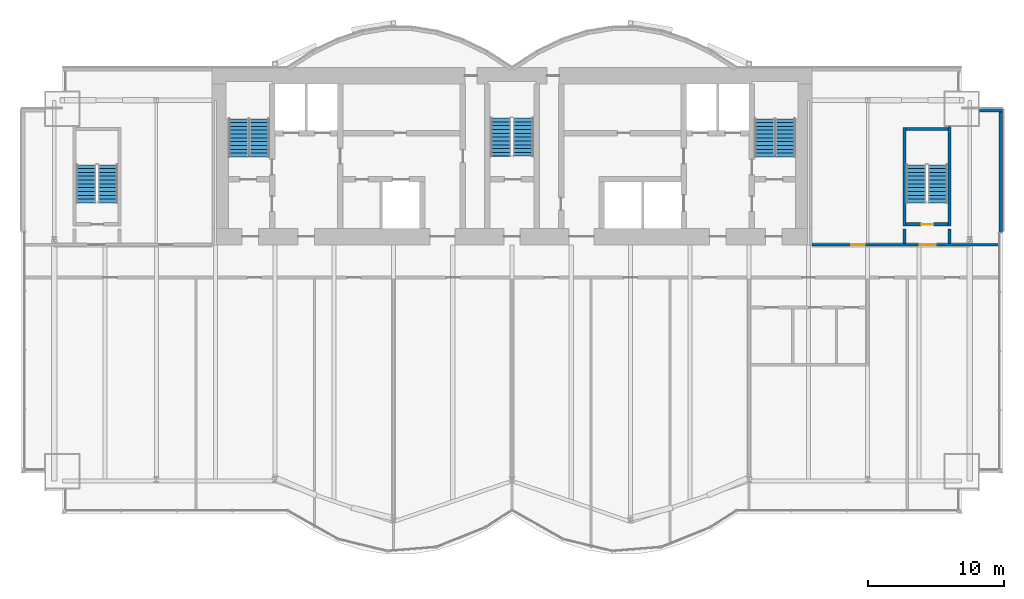
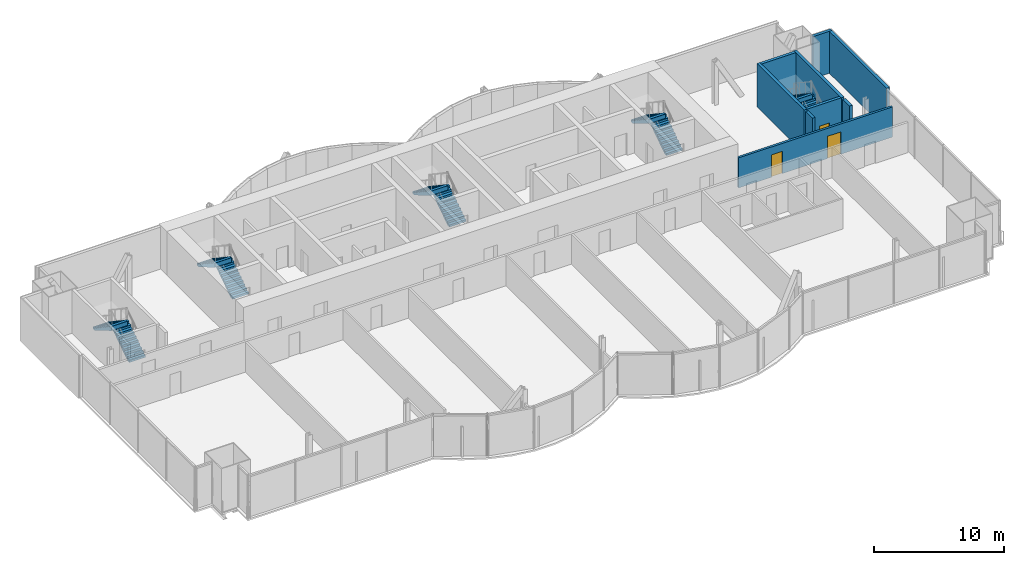
# One storey, part 17 of 20: 10 stair flights, 9 walls, 3 doors, 3 openings, 5 elements without a shape of their own.
"""IFC4 building model written with IfcOpenShell, lengths in metres."""

from ifc_helpers import new_model, si_unit, direction, frame, frame_2d, origin, place, context, subcontext, project, spatial, polyline, rectangle, outline, extrude, material, layer, layer_set, layer_usage, type_object, element, fill, aggregate, save


model = new_model("IFC4")

# Units and contexts
model_context = context("Model", 3, precision=1e-05, world=origin(), true_north=direction((0.0, 1.0)))
body_context = subcontext(model_context, "Body", "Model", "MODEL_VIEW")
ifc_project = project(units=[si_unit("LENGTHUNIT", "METRE"), si_unit("AREAUNIT", "SQUARE_METRE"), si_unit("VOLUMEUNIT", "CUBIC_METRE"), si_unit("PLANEANGLEUNIT", "RADIAN"), si_unit("MASSUNIT", "GRAM", prefix="KILO")], contexts=[model_context])

# Site, building, storey
site_placement = place(None, origin())
site = spatial("IfcSite", under=ifc_project, at=site_placement, CompositionType="ELEMENT")
building_placement = place(site_placement, origin())
building = spatial("IfcBuilding", under=site, at=building_placement, Name="Bicima Exchange Tower", CompositionType="ELEMENT")
storey_placement = place(building_placement, frame((0.0, 0.0, 199.10009765625)))
storey = spatial("IfcBuildingStorey", under=building, at=storey_placement, Name="L44", CompositionType="ELEMENT", Elevation=199.10009765625)

# Wall, openings, doors
ifc_material_1 = material(Name="Gypsum board partition")
ifc_layer_1 = layer(ifc_material_1, 0.199951171875)
ifc_layer_set_1 = layer_set([ifc_layer_1], Name="Gypsum board partition")
wall_type_1 = type_object("IfcWallType", Name="Fire-rated gypsum partition 200 EI60", PredefinedType="PARTITIONING", material=ifc_layer_set_1)
wall_1_placement = place(storey_placement, frame((22.0, -13.0, 0.0), z_axis=(0.0, 0.0, 1.0), x_axis=(1.0, 0.0, 0.0)))
wall_1 = element("IfcWall", 1, at=wall_1_placement, inside=storey, type_object=wall_type_1, Name="partition wall 5", PredefinedType="PARTITIONING", context=body_context, shape_type="SweptSolid", body=[
    extrude(rectangle(XDim=13.679931640625, YDim=0.199951171875, at=frame_2d((6.83984375, 0.0))), origin(), (0.0, 0.0, 1.0), 2.840087890625),
])
opening_1_placement = place(wall_1_placement, frame((7.89990234375, 0.0, 0.0)))
opening_1 = element("IfcOpeningElement", 2, at=opening_1_placement, cuts=wall_1, Name="Opening L44-003", PredefinedType="OPENING", context=body_context, shape_type="SweptSolid", body=[
    extrude(rectangle(XDim=1.199951171875, YDim=2.10009765625, at=frame_2d((0.60009765625, 1.050048828125))), frame((0.0, 0.11181640625, 0.0), z_axis=(0.0, -1.0, 0.0), x_axis=(1.0, 0.0, 0.0)), (0.0, 0.0, 1.0), 0.223876953125),
])
opening_2_placement = place(wall_1_placement, frame((2.89990234375, 0.0, 0.0)))
opening_2 = element("IfcOpeningElement", 3, at=opening_2_placement, cuts=wall_1, Name="Opening L44-006", PredefinedType="OPENING", context=body_context, shape_type="SweptSolid", body=[
    extrude(rectangle(XDim=1.0, YDim=2.10009765625, at=frame_2d((0.5, 1.050048828125))), frame((0.0, 0.11181640625, 0.0), z_axis=(0.0, -1.0, 0.0), x_axis=(1.0, 0.0, 0.0)), (0.0, 0.0, 1.0), 0.223876953125),
])
ifc_material_2 = material(Name="Steel fire door leaf", Category="steel")
door_type_1 = type_object("IfcDoorType", Name="Door 1000 swing FD30S", OperationType="SINGLE_SWING_LEFT", PredefinedType="DOOR", material=ifc_material_2)
door_1_placement = place(opening_2_placement, origin())
door_1 = element("IfcDoor", 4, at=door_1_placement, inside=storey, type_object=door_type_1, Name="Door", OperationType="SINGLE_SWING_RIGHT", OverallHeight=2.10009765625, OverallWidth=1.0, PredefinedType="DOOR", context=body_context, shape_type="SweptSolid", body=[
    extrude(rectangle(XDim=1.0, YDim=2.10009765625, at=frame_2d((0.5, 1.050048828125))), frame((0.0, 0.02490234375, 0.0), z_axis=(0.0, -1.0, 0.0), x_axis=(1.0, 0.0, 0.0)), (0.0, 0.0, 1.0), 0.050048828125),
])
fill(opening_2, door_1)
door_type_2 = type_object("IfcDoorType", Name="Door 1200 swing FD30S", OperationType="SINGLE_SWING_LEFT", PredefinedType="DOOR", material=ifc_material_2)
door_2_placement = place(opening_1_placement, origin())
door_2 = element("IfcDoor", 5, at=door_2_placement, inside=storey, type_object=door_type_2, Name="Door", OperationType="SINGLE_SWING_RIGHT", OverallHeight=2.10009765625, OverallWidth=1.199951171875, PredefinedType="DOOR", context=body_context, shape_type="SweptSolid", body=[
    extrude(rectangle(XDim=1.199951171875, YDim=2.10009765625, at=frame_2d((0.60009765625, 1.050048828125))), frame((0.0, 0.02490234375, 0.0), z_axis=(0.0, -1.0, 0.0), x_axis=(1.0, 0.0, 0.0)), (0.0, 0.0, 1.0), 0.050048828125),
])
fill(opening_1, door_2)

# Walls
ifc_material_3 = material(Name="Concrete C50/60", Category="concrete")
ifc_layer_2 = layer(ifc_material_3, 0.25)
ifc_layer_set_2 = layer_set([ifc_layer_2], Name="Concrete C50/60")
wall_type_2 = type_object("IfcWallType", Name="RC core wall 250 C50/60", PredefinedType="SHEAR", material=ifc_layer_set_2)
for number, where, z_axis, x_axis, name in (
    (6, (28.800048828125, -12.89990234375, 0.0), (0.0, 0.0, 1.0), (0.0, 1.0, 0.0), "stair wall 26"),
    (7, (32.10009765625, -12.89990234375, 0.0), (0.0, 0.0, 1.0), (0.0, 1.0, 0.0), "stair wall 28"),
):
    element("IfcWall", number, at=place(storey_placement, frame(where, z_axis=z_axis, x_axis=x_axis)), inside=storey, type_object=wall_type_2, Name=name, PredefinedType="SHEAR", context=body_context, shape_type="SweptSolid", body=[
        extrude(rectangle(XDim=1.0498046875, YDim=0.25, at=frame_2d((0.52490234375, 0.0))), origin(), (0.0, 0.0, 1.0), 4.099853515625),
    ])
ifc_layer_3 = layer(ifc_material_3, 0.25)
ifc_layer_set_3 = layer_set([ifc_layer_3], Name="Concrete C50/60")
wall_type_3 = type_object("IfcWallType", Name="RC stair enclosure wall 250 C50/60", PredefinedType="SHEAR", material=ifc_layer_set_3)
wall_2_placement = place(storey_placement, frame((28.800048828125, -11.625, 0.0), z_axis=(0.0, 0.0, 1.0), x_axis=(0.0, 1.0, 0.0)))
element("IfcWall", 8, at=wall_2_placement, inside=storey, type_object=wall_type_3, Name="East end exit stair wall W", PredefinedType="SHEAR", context=body_context, shape_type="SweptSolid", body=[
    extrude(rectangle(XDim=7.25, YDim=0.25, at=frame_2d((3.625, 0.0))), origin(), (0.0, 0.0, 1.0), 4.099853515625),
])
wall_3_placement = place(storey_placement, frame((32.10009765625, -11.625, 0.0), z_axis=(0.0, 0.0, 1.0), x_axis=(0.0, 1.0, 0.0)))
element("IfcWall", 9, at=wall_3_placement, inside=storey, type_object=wall_type_3, Name="East end exit stair wall E", PredefinedType="SHEAR", context=body_context, shape_type="SweptSolid", body=[
    extrude(rectangle(XDim=7.324951171875, YDim=0.25, at=frame_2d((3.66259765625, 0.0))), origin(), (0.0, 0.0, 1.0), 4.099853515625),
])

# Wall, opening, door
wall_4_placement = place(storey_placement, frame((28.925048828125, -11.5, 0.0), z_axis=(0.0, 0.0, 1.0), x_axis=(1.0, 0.0, 0.0)))
wall_4 = element("IfcWall", 10, at=wall_4_placement, inside=storey, type_object=wall_type_3, Name="East end exit stair wall S", PredefinedType="SHEAR", context=body_context, shape_type="SweptSolid", body=[
    extrude(rectangle(XDim=3.050048828125, YDim=0.25, at=frame_2d((1.52490234375, 0.0))), origin(), (0.0, 0.0, 1.0), 4.099853515625),
])
opening_3_placement = place(wall_4_placement, frame((1.10009765625, 0.0, 0.0)))
opening_3 = element("IfcOpeningElement", 11, at=opening_3_placement, cuts=wall_4, Name="Opening L44-004", PredefinedType="OPENING", context=body_context, shape_type="SweptSolid", body=[
    extrude(rectangle(XDim=0.89990234375, YDim=2.10009765625, at=frame_2d((0.449951171875, 1.050048828125))), frame((0.0, 0.136962890625, 0.0), z_axis=(0.0, -1.0, 0.0), x_axis=(1.0, 0.0, 0.0)), (0.0, 0.0, 1.0), 0.27392578125),
])
door_type_3 = type_object("IfcDoorType", Name="Door 900 swing FD60S", OperationType="SINGLE_SWING_LEFT", PredefinedType="DOOR", material=ifc_material_2)
door_3_placement = place(opening_3_placement, origin())
door_3 = element("IfcDoor", 12, at=door_3_placement, inside=storey, type_object=door_type_3, Name="Door", OperationType="SINGLE_SWING_LEFT", OverallHeight=2.10009765625, OverallWidth=0.89990234375, PredefinedType="DOOR", context=body_context, shape_type="SweptSolid", body=[
    extrude(rectangle(XDim=0.89990234375, YDim=2.10009765625, at=frame_2d((0.449951171875, 1.050048828125))), frame((0.0, 0.02490234375, 0.0), z_axis=(0.0, -1.0, 0.0), x_axis=(1.0, 0.0, 0.0)), (0.0, 0.0, 1.0), 0.050048828125),
])
fill(opening_3, door_3)

# Walls
wall_5_placement = place(storey_placement, frame((28.925048828125, -4.5, 0.0), z_axis=(0.0, 0.0, 1.0), x_axis=(1.0, 0.0, 0.0)))
element("IfcWall", 13, at=wall_5_placement, inside=storey, type_object=wall_type_3, Name="East end exit stair wall N", PredefinedType="SHEAR", context=body_context, shape_type="SweptSolid", body=[
    extrude(rectangle(XDim=3.050048828125, YDim=0.25, at=frame_2d((1.52490234375, 0.0))), origin(), (0.0, 0.0, 1.0), 4.099853515625),
])
ifc_material_4 = material(Name="Concrete C40/50", Category="concrete")
ifc_layer_4 = layer(ifc_material_4, 0.25)
ifc_layer_set_4 = layer_set([ifc_layer_4], Name="Concrete C40/50")
ifc_layer_usage = layer_usage(ifc_layer_set_4, "AXIS2", "POSITIVE", -0.125)
wall_type_4 = type_object("IfcWallType", Name="Rear backup wall 250", PredefinedType="STANDARD", material=ifc_layer_set_4)
wall_6_placement = place(storey_placement, frame((35.875, -12.090087890625, 0.0), z_axis=(0.0, 0.0, 1.0), x_axis=(0.0, 1.0, 0.0)))
element("IfcWall", 14, at=wall_6_placement, inside=storey, type_object=wall_type_4, material=ifc_layer_usage, Name="Rear backup wall L44 50", PredefinedType="STANDARD", context=body_context, shape_type="SweptSolid", body=[
    extrude(rectangle(XDim=9.090087890625, YDim=0.25, at=frame_2d((4.544921875, 0.0))), origin(), (0.0, 0.0, 1.0), 3.949951171875),
])
wall_7_placement = place(storey_placement, frame((36.0, -3.125, 0.0), z_axis=(0.0, 0.0, 1.0), x_axis=(-1.0, 0.0, 0.0)))
element("IfcWall", 15, at=wall_7_placement, inside=storey, type_object=wall_type_4, material=ifc_layer_usage, Name="Rear backup wall L44 51", PredefinedType="STANDARD", context=body_context, shape_type="SweptSolid", body=[
    extrude(rectangle(XDim=1.699951171875, YDim=0.25, at=frame_2d((0.85009765625, 0.0))), origin(), (0.0, 0.0, 1.0), 3.949951171875),
])

# Stair, stair flights
stair_type_1 = type_object("IfcStairType", Name="Exit stair", PredefinedType="HALF_TURN_STAIR", material=ifc_material_3)
stair_1_placement = place(storey_placement, origin())
stair_1 = element("IfcStair", 16, at=stair_1_placement, inside=storey, type_object=stair_type_1, Name="L44 West exit stair", PredefinedType="HALF_TURN_STAIR")
stair_flight_type_1 = type_object("IfcStairFlightType", Name="Stair flight RC", PredefinedType="STRAIGHT", material=ifc_material_3)
stair_flight_1_placement = place(storey_placement, frame((-18.52490234375, -6.550048828125, 0.0), z_axis=(0.0, 0.0, 1.0), x_axis=(0.0, 1.0, 0.0)))
stair_flight_1 = element("IfcStairFlight", 17, at=stair_flight_1_placement, type_object=stair_flight_type_1, Name="ST-W flight 1", NumberOfRisers=11, NumberOfTreads=10, PredefinedType="STRAIGHT", RiserHeight=0.186363636, TreadLength=0.28, context=body_context, shape_type="SweptSolid", body=[
    extrude(outline(polyline([(0.0, 0.0), (0.0, 0.186279296875), (0.280029296875, 0.186279296875), (0.280029296875, 0.372802734375), (0.56005859375, 0.372802734375), (0.56005859375, 0.55908203125), (0.840087890625, 0.55908203125), (0.840087890625, 0.745361328125), (1.1201171875, 0.745361328125), (1.1201171875, 0.931884765625), (1.39990234375, 0.931884765625), (1.39990234375, 1.1181640625), (1.679931640625, 1.1181640625), (1.679931640625, 1.304443359375), (1.9599609375, 1.304443359375), (1.9599609375, 1.490966796875), (2.239990234375, 1.490966796875), (2.239990234375, 1.67724609375), (2.52001953125, 1.67724609375), (2.52001953125, 1.863525390625), (2.800048828125, 1.863525390625), (2.800048828125, 2.050048828125), (2.800048828125, 1.68359375), (0.2705078125, 0.0), (0.0, 0.0)])), frame((0.0, 0.72509765625, 0.0), z_axis=(0.0, -1.0, 0.0), x_axis=(1.0, 0.0, 0.0)), (0.0, 0.0, 1.0), 1.449951171875),
])
stair_flight_2_placement = place(storey_placement, frame((-20.074951171875, -3.75, 2.0498046875), z_axis=(0.0, 0.0, 1.0), x_axis=(0.0, -1.0, 0.0)))
stair_flight_2 = element("IfcStairFlight", 18, at=stair_flight_2_placement, type_object=stair_flight_type_1, Name="ST-W flight 2", NumberOfRisers=11, NumberOfTreads=10, PredefinedType="STRAIGHT", RiserHeight=0.186363636, TreadLength=0.28, context=body_context, shape_type="SweptSolid", body=[
    extrude(outline(polyline([(0.0, 0.0), (0.0, 0.186279296875), (0.280029296875, 0.186279296875), (0.280029296875, 0.372802734375), (0.56005859375, 0.372802734375), (0.56005859375, 0.55908203125), (0.840087890625, 0.55908203125), (0.840087890625, 0.745361328125), (1.1201171875, 0.745361328125), (1.1201171875, 0.931884765625), (1.39990234375, 0.931884765625), (1.39990234375, 1.1181640625), (1.679931640625, 1.1181640625), (1.679931640625, 1.304443359375), (1.9599609375, 1.304443359375), (1.9599609375, 1.490966796875), (2.239990234375, 1.490966796875), (2.239990234375, 1.67724609375), (2.52001953125, 1.67724609375), (2.52001953125, 1.863525390625), (2.800048828125, 1.863525390625), (2.800048828125, 1.904052734375), (2.81494140625, 1.904052734375), (2.81494140625, 1.507080078125), (0.2705078125, 0.0), (0.0, 0.0)])), frame((0.0, 0.72509765625, 0.0), z_axis=(0.0, -1.0, 0.0), x_axis=(1.0, 0.0, 0.0)), (0.0, 0.0, 1.0), 1.449951171875),
])
aggregate(stair_1, [stair_flight_1, stair_flight_2])

stair_2_placement = place(storey_placement, origin())
stair_2 = element("IfcStair", 19, at=stair_2_placement, inside=storey, type_object=stair_type_1, Name="L44 East exit stair", PredefinedType="HALF_TURN_STAIR")
stair_flight_3_placement = place(storey_placement, frame((20.074951171875, -6.550048828125, 0.0), z_axis=(0.0, 0.0, 1.0), x_axis=(0.0, 1.0, 0.0)))
stair_flight_3 = element("IfcStairFlight", 20, at=stair_flight_3_placement, type_object=stair_flight_type_1, Name="ST-E flight 1", NumberOfRisers=11, NumberOfTreads=10, PredefinedType="STRAIGHT", RiserHeight=0.186363636, TreadLength=0.28, context=body_context, shape_type="SweptSolid", body=[
    extrude(outline(polyline([(0.0, 0.0), (0.0, 0.186279296875), (0.280029296875, 0.186279296875), (0.280029296875, 0.372802734375), (0.56005859375, 0.372802734375), (0.56005859375, 0.55908203125), (0.840087890625, 0.55908203125), (0.840087890625, 0.745361328125), (1.1201171875, 0.745361328125), (1.1201171875, 0.931884765625), (1.39990234375, 0.931884765625), (1.39990234375, 1.1181640625), (1.679931640625, 1.1181640625), (1.679931640625, 1.304443359375), (1.9599609375, 1.304443359375), (1.9599609375, 1.490966796875), (2.239990234375, 1.490966796875), (2.239990234375, 1.67724609375), (2.52001953125, 1.67724609375), (2.52001953125, 1.863525390625), (2.800048828125, 1.863525390625), (2.800048828125, 2.050048828125), (2.800048828125, 1.68359375), (0.2705078125, 0.0), (0.0, 0.0)])), frame((0.0, 0.72509765625, 0.0), z_axis=(0.0, -1.0, 0.0), x_axis=(1.0, 0.0, 0.0)), (0.0, 0.0, 1.0), 1.449951171875),
])
stair_flight_4_placement = place(storey_placement, frame((18.52490234375, -3.75, 2.0498046875), z_axis=(0.0, 0.0, 1.0), x_axis=(0.0, -1.0, 0.0)))
stair_flight_4 = element("IfcStairFlight", 21, at=stair_flight_4_placement, type_object=stair_flight_type_1, Name="ST-E flight 2", NumberOfRisers=11, NumberOfTreads=10, PredefinedType="STRAIGHT", RiserHeight=0.186363636, TreadLength=0.28, context=body_context, shape_type="SweptSolid", body=[
    extrude(outline(polyline([(0.0, 0.0), (0.0, 0.186279296875), (0.280029296875, 0.186279296875), (0.280029296875, 0.372802734375), (0.56005859375, 0.372802734375), (0.56005859375, 0.55908203125), (0.840087890625, 0.55908203125), (0.840087890625, 0.745361328125), (1.1201171875, 0.745361328125), (1.1201171875, 0.931884765625), (1.39990234375, 0.931884765625), (1.39990234375, 1.1181640625), (1.679931640625, 1.1181640625), (1.679931640625, 1.304443359375), (1.9599609375, 1.304443359375), (1.9599609375, 1.490966796875), (2.239990234375, 1.490966796875), (2.239990234375, 1.67724609375), (2.52001953125, 1.67724609375), (2.52001953125, 1.863525390625), (2.800048828125, 1.863525390625), (2.800048828125, 1.904052734375), (2.81494140625, 1.904052734375), (2.81494140625, 1.507080078125), (0.2705078125, 0.0), (0.0, 0.0)])), frame((0.0, 0.72509765625, 0.0), z_axis=(0.0, -1.0, 0.0), x_axis=(1.0, 0.0, 0.0)), (0.0, 0.0, 1.0), 1.449951171875),
])
aggregate(stair_2, [stair_flight_3, stair_flight_4])

stair_3_placement = place(storey_placement, origin())
stair_3 = element("IfcStair", 22, at=stair_3_placement, inside=storey, type_object=stair_type_1, Name="L44 West end exit stair", PredefinedType="HALF_TURN_STAIR")
stair_flight_5_placement = place(storey_placement, frame((-29.64990234375, -9.925048828125, 0.0), z_axis=(0.0, 0.0, 1.0), x_axis=(0.0, 1.0, 0.0)))
stair_flight_5 = element("IfcStairFlight", 23, at=stair_flight_5_placement, type_object=stair_flight_type_1, Name="ST-WW flight 1", NumberOfRisers=11, NumberOfTreads=10, PredefinedType="STRAIGHT", RiserHeight=0.186363636, TreadLength=0.28, context=body_context, shape_type="SweptSolid", body=[
    extrude(outline(polyline([(0.0, 0.0), (0.0, 0.186279296875), (0.280029296875, 0.186279296875), (0.280029296875, 0.372802734375), (0.56005859375, 0.372802734375), (0.56005859375, 0.55908203125), (0.840087890625, 0.55908203125), (0.840087890625, 0.745361328125), (1.1201171875, 0.745361328125), (1.1201171875, 0.931884765625), (1.39990234375, 0.931884765625), (1.39990234375, 1.1181640625), (1.679931640625, 1.1181640625), (1.679931640625, 1.304443359375), (1.9599609375, 1.304443359375), (1.9599609375, 1.490966796875), (2.239990234375, 1.490966796875), (2.239990234375, 1.67724609375), (2.52001953125, 1.67724609375), (2.52001953125, 1.863525390625), (2.800048828125, 1.863525390625), (2.800048828125, 2.050048828125), (2.800048828125, 1.68359375), (0.2705078125, 0.0), (0.0, 0.0)])), frame((0.0, 0.72509765625, 0.0), z_axis=(0.0, -1.0, 0.0), x_axis=(1.0, 0.0, 0.0)), (0.0, 0.0, 1.0), 1.449951171875),
])
stair_flight_6_placement = place(storey_placement, frame((-31.25, -7.125, 2.0498046875), z_axis=(0.0, 0.0, 1.0), x_axis=(0.0, -1.0, 0.0)))
stair_flight_6 = element("IfcStairFlight", 24, at=stair_flight_6_placement, type_object=stair_flight_type_1, Name="ST-WW flight 2", NumberOfRisers=11, NumberOfTreads=10, PredefinedType="STRAIGHT", RiserHeight=0.186363636, TreadLength=0.28, context=body_context, shape_type="SweptSolid", body=[
    extrude(outline(polyline([(0.0, 0.0), (0.0, 0.186279296875), (0.280029296875, 0.186279296875), (0.280029296875, 0.372802734375), (0.56005859375, 0.372802734375), (0.56005859375, 0.55908203125), (0.840087890625, 0.55908203125), (0.840087890625, 0.745361328125), (1.1201171875, 0.745361328125), (1.1201171875, 0.931884765625), (1.39990234375, 0.931884765625), (1.39990234375, 1.1181640625), (1.679931640625, 1.1181640625), (1.679931640625, 1.304443359375), (1.9599609375, 1.304443359375), (1.9599609375, 1.490966796875), (2.239990234375, 1.490966796875), (2.239990234375, 1.67724609375), (2.52001953125, 1.67724609375), (2.52001953125, 1.863525390625), (2.800048828125, 1.863525390625), (2.800048828125, 1.904052734375), (2.81494140625, 1.904052734375), (2.81494140625, 1.507080078125), (0.2705078125, 0.0), (0.0, 0.0)])), frame((0.0, 0.72509765625, 0.0), z_axis=(0.0, -1.0, 0.0), x_axis=(1.0, 0.0, 0.0)), (0.0, 0.0, 1.0), 1.449951171875),
])
aggregate(stair_3, [stair_flight_5, stair_flight_6])

stair_4_placement = place(storey_placement, origin())
stair_4 = element("IfcStair", 25, at=stair_4_placement, inside=storey, type_object=stair_type_1, Name="L44 East end exit stair", PredefinedType="HALF_TURN_STAIR")
stair_flight_7_placement = place(storey_placement, frame((31.25, -9.925048828125, 0.0), z_axis=(0.0, 0.0, 1.0), x_axis=(0.0, 1.0, 0.0)))
stair_flight_7 = element("IfcStairFlight", 26, at=stair_flight_7_placement, type_object=stair_flight_type_1, Name="ST-EE flight 1", NumberOfRisers=11, NumberOfTreads=10, PredefinedType="STRAIGHT", RiserHeight=0.186363636, TreadLength=0.28, context=body_context, shape_type="SweptSolid", body=[
    extrude(outline(polyline([(0.0, 0.0), (0.0, 0.186279296875), (0.280029296875, 0.186279296875), (0.280029296875, 0.372802734375), (0.56005859375, 0.372802734375), (0.56005859375, 0.55908203125), (0.840087890625, 0.55908203125), (0.840087890625, 0.745361328125), (1.1201171875, 0.745361328125), (1.1201171875, 0.931884765625), (1.39990234375, 0.931884765625), (1.39990234375, 1.1181640625), (1.679931640625, 1.1181640625), (1.679931640625, 1.304443359375), (1.9599609375, 1.304443359375), (1.9599609375, 1.490966796875), (2.239990234375, 1.490966796875), (2.239990234375, 1.67724609375), (2.52001953125, 1.67724609375), (2.52001953125, 1.863525390625), (2.800048828125, 1.863525390625), (2.800048828125, 2.050048828125), (2.800048828125, 1.68359375), (0.2705078125, 0.0), (0.0, 0.0)])), frame((0.0, 0.72509765625, 0.0), z_axis=(0.0, -1.0, 0.0), x_axis=(1.0, 0.0, 0.0)), (0.0, 0.0, 1.0), 1.449951171875),
])
stair_flight_8_placement = place(storey_placement, frame((29.64990234375, -7.125, 2.0498046875), z_axis=(0.0, 0.0, 1.0), x_axis=(0.0, -1.0, 0.0)))
stair_flight_8 = element("IfcStairFlight", 27, at=stair_flight_8_placement, type_object=stair_flight_type_1, Name="ST-EE flight 2", NumberOfRisers=11, NumberOfTreads=10, PredefinedType="STRAIGHT", RiserHeight=0.186363636, TreadLength=0.28, context=body_context, shape_type="SweptSolid", body=[
    extrude(outline(polyline([(0.0, 0.0), (0.0, 0.186279296875), (0.280029296875, 0.186279296875), (0.280029296875, 0.372802734375), (0.56005859375, 0.372802734375), (0.56005859375, 0.55908203125), (0.840087890625, 0.55908203125), (0.840087890625, 0.745361328125), (1.1201171875, 0.745361328125), (1.1201171875, 0.931884765625), (1.39990234375, 0.931884765625), (1.39990234375, 1.1181640625), (1.679931640625, 1.1181640625), (1.679931640625, 1.304443359375), (1.9599609375, 1.304443359375), (1.9599609375, 1.490966796875), (2.239990234375, 1.490966796875), (2.239990234375, 1.67724609375), (2.52001953125, 1.67724609375), (2.52001953125, 1.863525390625), (2.800048828125, 1.863525390625), (2.800048828125, 1.904052734375), (2.81494140625, 1.904052734375), (2.81494140625, 1.507080078125), (0.2705078125, 0.0), (0.0, 0.0)])), frame((0.0, 0.72509765625, 0.0), z_axis=(0.0, -1.0, 0.0), x_axis=(1.0, 0.0, 0.0)), (0.0, 0.0, 1.0), 1.449951171875),
])
aggregate(stair_4, [stair_flight_7, stair_flight_8])

stair_type_2 = type_object("IfcStairType", Name="Exit stair 1500", PredefinedType="HALF_TURN_STAIR", material=ifc_material_3)
stair_5_placement = place(storey_placement, origin())
stair_5 = element("IfcStair", 28, at=stair_5_placement, inside=storey, type_object=stair_type_2, Name="L44 Central exit stair", PredefinedType="HALF_TURN_STAIR")
stair_flight_type_2 = type_object("IfcStairFlightType", Name="Stair flight RC 1500", PredefinedType="STRAIGHT", material=ifc_material_3)
stair_flight_9_placement = place(storey_placement, frame((0.824951171875, -6.5, 0.0), z_axis=(0.0, 0.0, 1.0), x_axis=(0.0, 1.0, 0.0)))
stair_flight_9 = element("IfcStairFlight", 29, at=stair_flight_9_placement, type_object=stair_flight_type_2, Name="ST-C flight 1", NumberOfRisers=11, NumberOfTreads=10, PredefinedType="STRAIGHT", RiserHeight=0.186363636, TreadLength=0.28, context=body_context, shape_type="SweptSolid", body=[
    extrude(outline(polyline([(0.0, 0.0), (0.0, 0.186279296875), (0.280029296875, 0.186279296875), (0.280029296875, 0.372802734375), (0.56005859375, 0.372802734375), (0.56005859375, 0.55908203125), (0.840087890625, 0.55908203125), (0.840087890625, 0.745361328125), (1.1201171875, 0.745361328125), (1.1201171875, 0.931884765625), (1.39990234375, 0.931884765625), (1.39990234375, 1.1181640625), (1.679931640625, 1.1181640625), (1.679931640625, 1.304443359375), (1.9599609375, 1.304443359375), (1.9599609375, 1.490966796875), (2.239990234375, 1.490966796875), (2.239990234375, 1.67724609375), (2.52001953125, 1.67724609375), (2.52001953125, 1.863525390625), (2.800048828125, 1.863525390625), (2.800048828125, 2.050048828125), (2.800048828125, 1.68359375), (0.2705078125, 0.0), (0.0, 0.0)])), frame((0.0, 0.75, 0.0), z_axis=(0.0, -1.0, 0.0), x_axis=(1.0, 0.0, 0.0)), (0.0, 0.0, 1.0), 1.5),
])
stair_flight_10_placement = place(storey_placement, frame((-0.824951171875, -3.699951171875, 2.0498046875), z_axis=(0.0, 0.0, 1.0), x_axis=(0.0, -1.0, 0.0)))
stair_flight_10 = element("IfcStairFlight", 30, at=stair_flight_10_placement, type_object=stair_flight_type_2, Name="ST-C flight 2", NumberOfRisers=11, NumberOfTreads=10, PredefinedType="STRAIGHT", RiserHeight=0.186363636, TreadLength=0.28, context=body_context, shape_type="SweptSolid", body=[
    extrude(outline(polyline([(0.0, 0.0), (0.0, 0.186279296875), (0.280029296875, 0.186279296875), (0.280029296875, 0.372802734375), (0.56005859375, 0.372802734375), (0.56005859375, 0.55908203125), (0.840087890625, 0.55908203125), (0.840087890625, 0.745361328125), (1.1201171875, 0.745361328125), (1.1201171875, 0.931884765625), (1.39990234375, 0.931884765625), (1.39990234375, 1.1181640625), (1.679931640625, 1.1181640625), (1.679931640625, 1.304443359375), (1.9599609375, 1.304443359375), (1.9599609375, 1.490966796875), (2.239990234375, 1.490966796875), (2.239990234375, 1.67724609375), (2.52001953125, 1.67724609375), (2.52001953125, 1.863525390625), (2.800048828125, 1.863525390625), (2.800048828125, 1.904052734375), (2.81494140625, 1.904052734375), (2.81494140625, 1.507080078125), (0.2705078125, 0.0), (0.0, 0.0)])), frame((0.0, 0.75, 0.0), z_axis=(0.0, -1.0, 0.0), x_axis=(1.0, 0.0, 0.0)), (0.0, 0.0, 1.0), 1.5),
])
aggregate(stair_5, [stair_flight_9, stair_flight_10])

save(model, "model.ifc")
